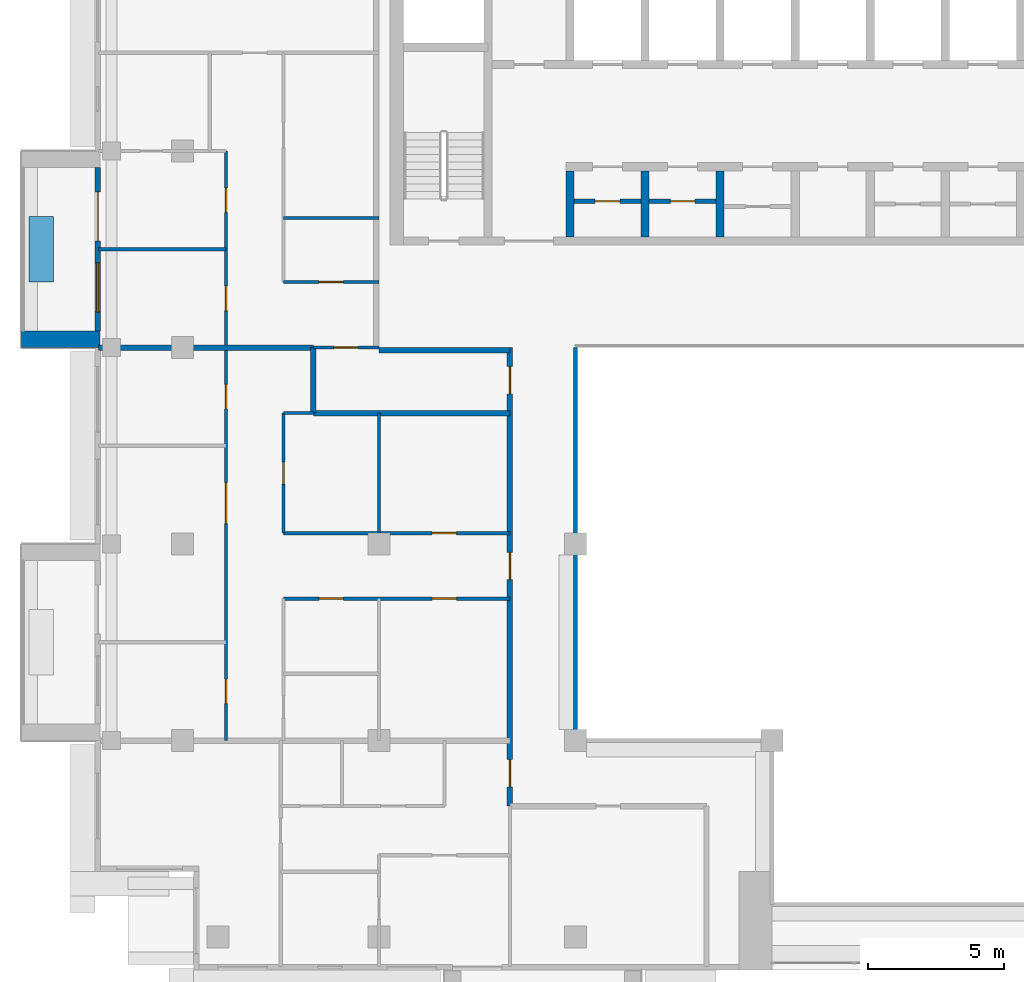
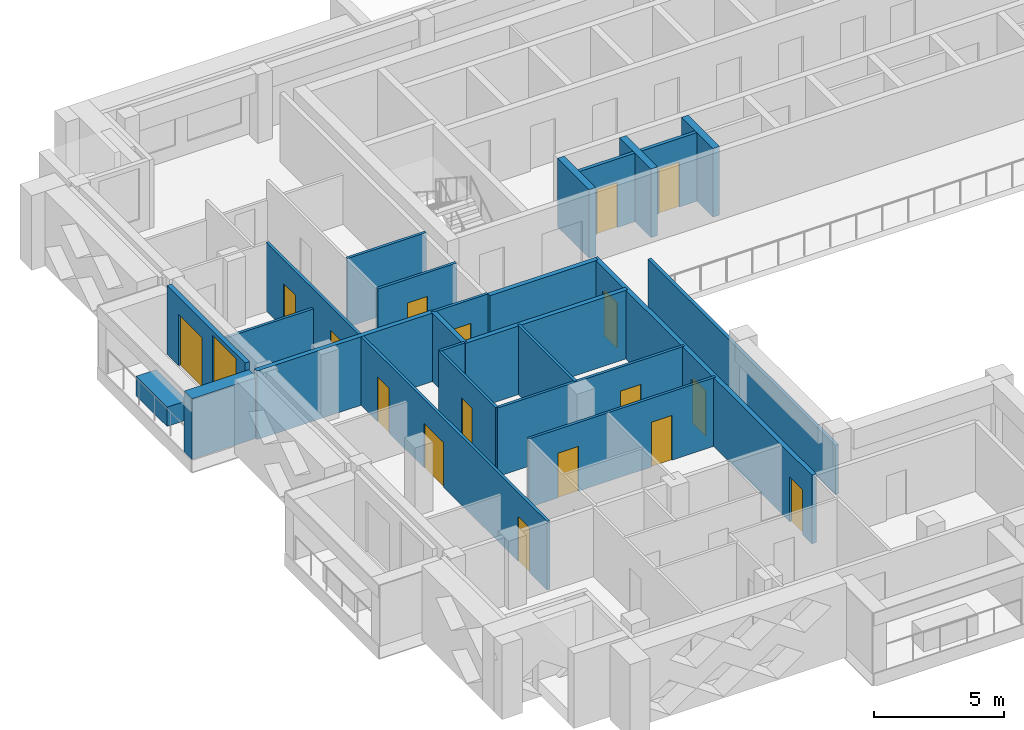
# One storey, part 7 of 19: 24 walls, 17 doors, 1 window, 18 openings.
"""IFC4 building model written with IfcOpenShell, lengths in metres."""

from ifc_helpers import new_model, si_unit, direction, frame, frame_2d, origin, place, context, subcontext, project, spatial, rectangle, extrude, material, layer, layer_set, type_object, element, fill, save


model = new_model("IFC4")

# Units and contexts
model_context = context("Model", 3, precision=1e-05, world=origin(), true_north=direction((0.0, 1.0)))
body_context = subcontext(model_context, "Body", "Model", "MODEL_VIEW")
ifc_project = project(units=[si_unit("LENGTHUNIT", "METRE"), si_unit("AREAUNIT", "SQUARE_METRE"), si_unit("VOLUMEUNIT", "CUBIC_METRE"), si_unit("PLANEANGLEUNIT", "RADIAN"), si_unit("MASSUNIT", "GRAM", prefix="KILO")], contexts=[model_context])

# Site, building, storey
site_placement = place(None, origin())
site = spatial("IfcSite", under=ifc_project, at=site_placement, CompositionType="ELEMENT")
building_placement = place(site_placement, origin())
building = spatial("IfcBuilding", under=site, at=building_placement, Name="Saffron Iwan Residences", CompositionType="ELEMENT")
storey_placement = place(building_placement, frame((0.0, 0.0, 246.5)))
storey = spatial("IfcBuildingStorey", under=building, at=storey_placement, Name="L66", CompositionType="ELEMENT", Elevation=246.5)

# Walls
ifc_material_1 = material(Name="Fire-rated glazing", Category="glass")
ifc_layer_1 = layer(ifc_material_1, 0.14990234375)
ifc_layer_set_1 = layer_set([ifc_layer_1], Name="Fire-rated glazing")
wall_type_1 = type_object("IfcWallType", Name="Atrium glazed screen 150", PredefinedType="SOLIDWALL", material=ifc_layer_set_1)
wall_1_placement = place(storey_placement, frame((36.0, 48.0, 0.0), z_axis=(0.0, 0.0, 1.0), x_axis=(0.0, 1.0, 0.0)))
element("IfcWall", 1, at=wall_1_placement, inside=storey, type_object=wall_type_1, Name="W-L66-SCREEN-v36-48", PredefinedType="SOLIDWALL", context=body_context, shape_type="SweptSolid", body=[
    extrude(rectangle(XDim=14.39990234375, YDim=0.14990234375, at=frame_2d((7.199951171875, 0.0))), origin(), (0.0, 0.0, 1.0), 2.320068359375),
])
ifc_material_2 = material(Name="Concrete C50/60 white painted", Category="concrete")
ifc_layer_2 = layer(ifc_material_2, 0.60009765625)
ifc_layer_set_2 = layer_set([ifc_layer_2], Name="Concrete C50/60 white painted")
wall_type_2 = type_object("IfcWallType", Name="BALCONY FIN 600", PredefinedType="SOLIDWALL", material=ifc_layer_set_2)
wall_2_placement = place(storey_placement, frame((18.574951171875, 62.699951171875, 0.0), z_axis=(0.0, 0.0, 1.0), x_axis=(-1.0, 0.0, 0.0)))
element("IfcWall", 2, at=wall_2_placement, inside=storey, type_object=wall_type_2, Name="Balcony fin L66 F8-0b", PredefinedType="SOLIDWALL", context=body_context, shape_type="SweptSolid", body=[
    extrude(rectangle(XDim=2.875, YDim=0.60009765625, at=frame_2d((1.4375, 0.0))), origin(), (0.0, 0.0, 1.0), 2.85009765625),
])
ifc_material_3 = material(Name="Concrete C35/45 white painted", Category="concrete")
ifc_layer_3 = layer(ifc_material_3, 0.14990234375)
ifc_layer_set_3 = layer_set([ifc_layer_3], Name="Concrete C35/45 white painted")
wall_type_3 = type_object("IfcWallType", Name="BALCONY PLANTER", PredefinedType="SOLIDWALL", material=ifc_layer_set_3)
wall_3_placement = place(storey_placement, frame((16.425048828125, 67.199951171875, 0.0), z_axis=(0.0, 0.0, 1.0), x_axis=(0.0, -1.0, 0.0)))
element("IfcWall", 3, at=wall_3_placement, inside=storey, type_object=wall_type_3, Name="PLANTER L66 F8-0", PredefinedType="SOLIDWALL", context=body_context, shape_type="SweptSolid", body=[
    extrude(rectangle(XDim=2.39990234375, YDim=0.89990234375, at=frame_2d((1.199951171875, 0.0))), origin(), (0.0, 0.0, 1.0), 0.89990234375),
])

# Wall, opening, door
ifc_material_4 = material(Name="Fire-rated plasterboard partition")
ifc_layer_4 = layer(ifc_material_4, 0.14990234375)
ifc_layer_set_4 = layer_set([ifc_layer_4], Name="Fire-rated plasterboard partition")
wall_type_4 = type_object("IfcWallType", Name="Core partition 150", PredefinedType="PARTITIONING", material=ifc_layer_set_4)
wall_4_placement = place(storey_placement, frame((35.949951171875, 67.759521484375, 0.0), z_axis=(0.0, 0.0, 1.0), x_axis=(1.0, 0.0, 0.0)))
wall_4 = element("IfcWall", 4, at=wall_4_placement, inside=storey, type_object=wall_type_4, Name="Core partition P01", PredefinedType="PARTITIONING", context=body_context, shape_type="SweptSolid", body=[
    extrude(rectangle(XDim=2.449951171875, YDim=0.14990234375, at=frame_2d((1.22509765625, 0.0))), origin(), (0.0, 0.0, 1.0), 3.219970703125),
])
opening_1_placement = place(wall_4_placement, frame((0.77490234375, 0.0, 0.0)))
opening_1 = element("IfcOpeningElement", 5, at=opening_1_placement, cuts=wall_4, Name="Opening SB", PredefinedType="OPENING", context=body_context, shape_type="SweptSolid", body=[
    extrude(rectangle(XDim=0.89990234375, YDim=2.10009765625, at=frame_2d((0.449951171875, 1.050048828125))), frame((0.0, 0.0849609375, 0.0), z_axis=(0.0, -1.0, 0.0), x_axis=(1.0, 0.0, 0.0)), (0.0, 0.0, 1.0), 0.169921875),
])
ifc_material_5 = material(Name="Steel fire door", Category="steel")
door_type_1 = type_object("IfcDoorType", Name="Store door 900", OperationType="NOTDEFINED", PredefinedType="DOOR", material=ifc_material_5)
door_1_placement = place(opening_1_placement, origin())
door_1 = element("IfcDoor", 6, at=door_1_placement, inside=storey, type_object=door_type_1, Name="Door Tool store", OperationType="SINGLE_SWING_LEFT", OverallHeight=2.10009765625, OverallWidth=0.89990234375, PredefinedType="DOOR", context=body_context, shape_type="SweptSolid", body=[
    extrude(rectangle(XDim=0.89990234375, YDim=2.10009765625, at=frame_2d((0.449951171875, 1.050048828125))), frame((0.0, 0.02490234375, 0.0), z_axis=(0.0, -1.0, 0.0), x_axis=(1.0, 0.0, 0.0)), (0.0, 0.0, 1.0), 0.050048828125),
])
fill(opening_1, door_1)

wall_5_placement = place(storey_placement, frame((38.699951171875, 67.759521484375, 0.0), z_axis=(0.0, 0.0, 1.0), x_axis=(1.0, 0.0, 0.0)))
wall_5 = element("IfcWall", 7, at=wall_5_placement, inside=storey, type_object=wall_type_4, Name="Core partition P02", PredefinedType="PARTITIONING", context=body_context, shape_type="SweptSolid", body=[
    extrude(rectangle(XDim=2.449951171875, YDim=0.14990234375, at=frame_2d((1.22509765625, 0.0))), origin(), (0.0, 0.0, 1.0), 3.219970703125),
])
opening_2_placement = place(wall_5_placement, frame((0.77490234375, 0.0, 0.0)))
opening_2 = element("IfcOpeningElement", 8, at=opening_2_placement, cuts=wall_5, Name="Opening SB", PredefinedType="OPENING", context=body_context, shape_type="SweptSolid", body=[
    extrude(rectangle(XDim=0.89990234375, YDim=2.10009765625, at=frame_2d((0.449951171875, 1.050048828125))), frame((0.0, 0.0849609375, 0.0), z_axis=(0.0, -1.0, 0.0), x_axis=(1.0, 0.0, 0.0)), (0.0, 0.0, 1.0), 0.169921875),
])
door_2_placement = place(opening_2_placement, origin())
door_2 = element("IfcDoor", 9, at=door_2_placement, inside=storey, type_object=door_type_1, Name="Door Cabling room", OperationType="SINGLE_SWING_RIGHT", OverallHeight=2.10009765625, OverallWidth=0.89990234375, PredefinedType="DOOR", context=body_context, shape_type="SweptSolid", body=[
    extrude(rectangle(XDim=0.89990234375, YDim=2.10009765625, at=frame_2d((0.449951171875, 1.050048828125))), frame((0.0, 0.02490234375, 0.0), z_axis=(0.0, -1.0, 0.0), x_axis=(1.0, 0.0, 0.0)), (0.0, 0.0, 1.0), 0.050048828125),
])
fill(opening_2, door_2)

# Wall, openings, door, window
ifc_material_6 = material(Name="Concrete C40/50", Category="concrete")
ifc_layer_5 = layer(ifc_material_6, 0.199951171875)
ifc_layer_set_5 = layer_set([ifc_layer_5], Name="Concrete C40/50")
wall_type_5 = type_object("IfcWallType", Name="EXTERNAL WALL 200", PredefinedType="SOLIDWALL", material=ifc_layer_set_5)
wall_6_placement = place(storey_placement, frame((18.5, 69.0, 0.0), z_axis=(0.0, 0.0, 1.0), x_axis=(0.0, -1.0, 0.0)))
wall_6 = element("IfcWall", 10, at=wall_6_placement, inside=storey, type_object=wall_type_5, Name="External wall L66 F8.1", PredefinedType="SOLIDWALL", context=body_context, shape_type="SweptSolid", body=[
    extrude(rectangle(XDim=6.0, YDim=0.199951171875, at=frame_2d((3.0, 0.0))), origin(), (0.0, 0.0, 1.0), 3.219970703125),
])
opening_3_placement = place(wall_6_placement, frame((0.89990234375, 0.0, 0.0)))
opening_3 = element("IfcOpeningElement", 11, at=opening_3_placement, cuts=wall_6, Name="Opening BD1", PredefinedType="OPENING", context=body_context, shape_type="SweptSolid", body=[
    extrude(rectangle(XDim=1.800048828125, YDim=2.39990234375, at=frame_2d((0.89990234375, 1.199951171875))), frame((0.0, 0.10986328125, 0.0), z_axis=(0.0, -1.0, 0.0), x_axis=(1.0, 0.0, 0.0)), (0.0, 0.0, 1.0), 0.219970703125),
])
opening_4_placement = place(wall_6_placement, frame((3.5, 0.0, 0.60009765625)))
opening_4 = element("IfcOpeningElement", 12, at=opening_4_placement, cuts=wall_6, Name="Opening W8", PredefinedType="OPENING", context=body_context, shape_type="SweptSolid", body=[
    extrude(rectangle(XDim=1.800048828125, YDim=2.39990234375, at=frame_2d((0.89990234375, 1.199951171875))), frame((0.0, 0.10986328125, 0.0), z_axis=(0.0, -1.0, 0.0), x_axis=(1.0, 0.0, 0.0)), (0.0, 0.0, 1.0), 0.219970703125),
])
ifc_material_7 = material(Name="Clear glass, laminated double glazed", Category="glass")
door_type_2 = type_object("IfcDoorType", Name="BALCONY DOOR 1800 x 2400", OperationType="DOUBLE_DOOR_SLIDING", PredefinedType="DOOR", material=ifc_material_7)
door_3_placement = place(opening_3_placement, origin())
door_3 = element("IfcDoor", 13, at=door_3_placement, inside=storey, type_object=door_type_2, Name="Balcony door L66 F8.0", OperationType="DOUBLE_DOOR_SLIDING", OverallHeight=2.39990234375, OverallWidth=1.800048828125, PredefinedType="DOOR", context=body_context, shape_type="SweptSolid", body=[
    extrude(rectangle(XDim=1.800048828125, YDim=2.39990234375, at=frame_2d((0.89990234375, 1.199951171875))), frame((0.0, 0.02490234375, 0.0), z_axis=(0.0, -1.0, 0.0), x_axis=(1.0, 0.0, 0.0)), (0.0, 0.0, 1.0), 0.050048828125),
])
fill(opening_3, door_3)
window_type = type_object("IfcWindowType", Name="WINDOW 1800 x 2400", PartitioningType="DOUBLE_PANEL_VERTICAL", PredefinedType="WINDOW", material=ifc_material_7)
window_placement = place(opening_4_placement, origin())
window = element("IfcWindow", 14, at=window_placement, inside=storey, type_object=window_type, Name="Window L66 F8.1", OverallHeight=2.39990234375, OverallWidth=1.800048828125, PartitioningType="DOUBLE_PANEL_VERTICAL", PredefinedType="WINDOW", context=body_context, shape_type="SweptSolid", body=[
    extrude(rectangle(XDim=1.800048828125, YDim=2.39990234375, at=frame_2d((0.89990234375, 1.199951171875))), frame((0.0, 0.030029296875, 0.0), z_axis=(0.0, -1.0, 0.0), x_axis=(1.0, 0.0, 0.0)), (0.0, 0.0, 1.0), 0.06005859375),
])
fill(opening_4, window)

# Walls
ifc_material_8 = material(Name="Fire-rated gypsum board wall")
ifc_layer_6 = layer(ifc_material_8, 0.199951171875)
ifc_layer_set_6 = layer_set([ifc_layer_6], Name="Fire-rated gypsum board wall")
wall_type_6 = type_object("IfcWallType", Name="Flat demising wall 200", PredefinedType="SOLIDWALL", material=ifc_layer_set_6)
wall_7_placement = place(storey_placement, frame((26.39990234375, 60.0, 0.0), z_axis=(0.0, 0.0, 1.0), x_axis=(1.0, 0.0, 0.0)))
element("IfcWall", 15, at=wall_7_placement, inside=storey, type_object=wall_type_6, Name="W-L66-DEMISE-h60-26.4", PredefinedType="SOLIDWALL", context=body_context, shape_type="SweptSolid", body=[
    extrude(rectangle(XDim=7.2001953125, YDim=0.199951171875, at=frame_2d((3.60009765625, 0.0))), origin(), (0.0, 0.0, 1.0), 3.219970703125),
])
wall_8_placement = place(storey_placement, frame((18.52490234375, 62.39990234375, 0.0), z_axis=(0.0, 0.0, 1.0), x_axis=(1.0, 0.0, 0.0)))
element("IfcWall", 16, at=wall_8_placement, inside=storey, type_object=wall_type_6, Name="W-L66-DEMISE-h62.4-18.525", PredefinedType="SOLIDWALL", context=body_context, shape_type="SweptSolid", body=[
    extrude(rectangle(XDim=7.875, YDim=0.199951171875, at=frame_2d((3.9375, 0.0))), origin(), (0.0, 0.0, 1.0), 3.219970703125),
])
wall_9_placement = place(storey_placement, frame((26.39990234375, 60.0, 0.0), z_axis=(0.0, 0.0, 1.0), x_axis=(0.0, 1.0, 0.0)))
element("IfcWall", 17, at=wall_9_placement, inside=storey, type_object=wall_type_6, Name="W-L66-DEMISE-v26.4-60", PredefinedType="SOLIDWALL", context=body_context, shape_type="SweptSolid", body=[
    extrude(rectangle(XDim=2.39990234375, YDim=0.199951171875, at=frame_2d((1.199951171875, 0.0))), origin(), (0.0, 0.0, 1.0), 3.219970703125),
])

# Wall, openings, doors
ifc_material_9 = material(Name="Gypsum board partition")
ifc_layer_7 = layer(ifc_material_9, 0.1201171875)
ifc_layer_set_7 = layer_set([ifc_layer_7], Name="Gypsum board partition")
wall_type_7 = type_object("IfcWallType", Name="Flat partition 120", PredefinedType="PARTITIONING", material=ifc_layer_set_7)
wall_10_placement = place(storey_placement, frame((25.300048828125, 53.199951171875, 0.0), z_axis=(0.0, 0.0, 1.0), x_axis=(1.0, 0.0, 0.0)))
wall_10 = element("IfcWall", 18, at=wall_10_placement, inside=storey, type_object=wall_type_7, Name="W-L66-PART-h53.2-25.3", PredefinedType="PARTITIONING", context=body_context, shape_type="SweptSolid", body=[
    extrude(rectangle(XDim=8.300048828125, YDim=0.1201171875, at=frame_2d((4.14990234375, 0.0))), origin(), (0.0, 0.0, 1.0), 3.219970703125),
])
opening_5_placement = place(wall_10_placement, frame((1.300048828125, 0.0, 0.0)))
opening_5 = element("IfcOpeningElement", 19, at=opening_5_placement, cuts=wall_10, Name="Opening FD2", PredefinedType="OPENING", context=body_context, shape_type="SweptSolid", body=[
    extrude(rectangle(XDim=0.89990234375, YDim=2.10009765625, at=frame_2d((0.449951171875, 1.050048828125))), frame((0.0, 0.070068359375, 0.0), z_axis=(0.0, -1.0, 0.0), x_axis=(1.0, 0.0, 0.0)), (0.0, 0.0, 1.0), 0.14013671875),
])
opening_6_placement = place(wall_10_placement, frame((5.449951171875, 0.0, 0.0)))
opening_6 = element("IfcOpeningElement", 20, at=opening_6_placement, cuts=wall_10, Name="Opening FD2", PredefinedType="OPENING", context=body_context, shape_type="SweptSolid", body=[
    extrude(rectangle(XDim=0.89990234375, YDim=2.10009765625, at=frame_2d((0.449951171875, 1.050048828125))), frame((0.0, 0.070068359375, 0.0), z_axis=(0.0, -1.0, 0.0), x_axis=(1.0, 0.0, 0.0)), (0.0, 0.0, 1.0), 0.14013671875),
])
ifc_material_10 = material(Name="Timber door", Category="wood")
door_type_3 = type_object("IfcDoorType", Name="Flat door 900", OperationType="NOTDEFINED", PredefinedType="DOOR", material=ifc_material_10)
door_4_placement = place(opening_5_placement, origin())
door_4 = element("IfcDoor", 21, at=door_4_placement, inside=storey, type_object=door_type_3, Name="Door L66-013", OperationType="SINGLE_SWING_RIGHT", OverallHeight=2.10009765625, OverallWidth=0.89990234375, PredefinedType="DOOR", context=body_context, shape_type="SweptSolid", body=[
    extrude(rectangle(XDim=0.89990234375, YDim=2.10009765625, at=frame_2d((0.449951171875, 1.050048828125))), frame((0.0, 0.02490234375, 0.0), z_axis=(0.0, -1.0, 0.0), x_axis=(1.0, 0.0, 0.0)), (0.0, 0.0, 1.0), 0.050048828125),
])
fill(opening_5, door_4)
door_5_placement = place(opening_6_placement, origin())
door_5 = element("IfcDoor", 22, at=door_5_placement, inside=storey, type_object=door_type_3, Name="Door L66-015", OperationType="SINGLE_SWING_LEFT", OverallHeight=2.10009765625, OverallWidth=0.89990234375, PredefinedType="DOOR", context=body_context, shape_type="SweptSolid", body=[
    extrude(rectangle(XDim=0.89990234375, YDim=2.10009765625, at=frame_2d((0.449951171875, 1.050048828125))), frame((0.0, 0.02490234375, 0.0), z_axis=(0.0, -1.0, 0.0), x_axis=(1.0, 0.0, 0.0)), (0.0, 0.0, 1.0), 0.050048828125),
])
fill(opening_6, door_5)

# Wall, opening, door
wall_11_placement = place(storey_placement, frame((25.300048828125, 55.60009765625, 0.0), z_axis=(0.0, 0.0, 1.0), x_axis=(1.0, 0.0, 0.0)))
wall_11 = element("IfcWall", 23, at=wall_11_placement, inside=storey, type_object=wall_type_7, Name="W-L66-PART-h55.6-25.3", PredefinedType="PARTITIONING", context=body_context, shape_type="SweptSolid", body=[
    extrude(rectangle(XDim=8.300048828125, YDim=0.1201171875, at=frame_2d((4.14990234375, 0.0))), origin(), (0.0, 0.0, 1.0), 3.219970703125),
])
opening_7_placement = place(wall_11_placement, frame((5.449951171875, 0.0, 0.0)))
opening_7 = element("IfcOpeningElement", 24, at=opening_7_placement, cuts=wall_11, Name="Opening FD2", PredefinedType="OPENING", context=body_context, shape_type="SweptSolid", body=[
    extrude(rectangle(XDim=0.89990234375, YDim=2.10009765625, at=frame_2d((0.449951171875, 1.050048828125))), frame((0.0, 0.070068359375, 0.0), z_axis=(0.0, -1.0, 0.0), x_axis=(1.0, 0.0, 0.0)), (0.0, 0.0, 1.0), 0.14013671875),
])
door_6_placement = place(opening_7_placement, origin())
door_6 = element("IfcDoor", 25, at=door_6_placement, inside=storey, type_object=door_type_3, Name="Door L66-016", OperationType="SINGLE_SWING_RIGHT", OverallHeight=2.10009765625, OverallWidth=0.89990234375, PredefinedType="DOOR", context=body_context, shape_type="SweptSolid", body=[
    extrude(rectangle(XDim=0.89990234375, YDim=2.10009765625, at=frame_2d((0.449951171875, 1.050048828125))), frame((0.0, 0.02490234375, 0.0), z_axis=(0.0, -1.0, 0.0), x_axis=(1.0, 0.0, 0.0)), (0.0, 0.0, 1.0), 0.050048828125),
])
fill(opening_7, door_6)

# Wall
wall_12_placement = place(storey_placement, frame((25.300048828125, 60.0, 0.0), z_axis=(0.0, 0.0, 1.0), x_axis=(1.0, 0.0, 0.0)))
element("IfcWall", 26, at=wall_12_placement, inside=storey, type_object=wall_type_7, Name="W-L66-PART-h60-25.3", PredefinedType="PARTITIONING", context=body_context, shape_type="SweptSolid", body=[
    extrude(rectangle(XDim=1.099853515625, YDim=0.1201171875, at=frame_2d((0.5498046875, 0.0))), origin(), (0.0, 0.0, 1.0), 3.219970703125),
])

# Wall, opening, door
wall_13_placement = place(storey_placement, frame((26.39990234375, 62.39990234375, 0.0), z_axis=(0.0, 0.0, 1.0), x_axis=(1.0, 0.0, 0.0)))
wall_13 = element("IfcWall", 27, at=wall_13_placement, inside=storey, type_object=wall_type_7, Name="W-L66-PART-h62.4-26.4", PredefinedType="PARTITIONING", context=body_context, shape_type="SweptSolid", body=[
    extrude(rectangle(XDim=2.400146484375, YDim=0.1201171875, at=frame_2d((1.2001953125, 0.0))), origin(), (0.0, 0.0, 1.0), 3.219970703125),
])
opening_8_placement = place(wall_13_placement, frame((0.75, 0.0, 0.0)))
opening_8 = element("IfcOpeningElement", 28, at=opening_8_placement, cuts=wall_13, Name="Opening FD2", PredefinedType="OPENING", context=body_context, shape_type="SweptSolid", body=[
    extrude(rectangle(XDim=0.89990234375, YDim=2.10009765625, at=frame_2d((0.449951171875, 1.050048828125))), frame((0.0, 0.070068359375, 0.0), z_axis=(0.0, -1.0, 0.0), x_axis=(1.0, 0.0, 0.0)), (0.0, 0.0, 1.0), 0.14013671875),
])
door_7_placement = place(opening_8_placement, origin())
door_7 = element("IfcDoor", 29, at=door_7_placement, inside=storey, type_object=door_type_3, Name="Door L66-023", OperationType="SINGLE_SWING_LEFT", OverallHeight=2.10009765625, OverallWidth=0.89990234375, PredefinedType="DOOR", context=body_context, shape_type="SweptSolid", body=[
    extrude(rectangle(XDim=0.89990234375, YDim=2.10009765625, at=frame_2d((0.449951171875, 1.050048828125))), frame((0.0, 0.02490234375, 0.0), z_axis=(0.0, -1.0, 0.0), x_axis=(1.0, 0.0, 0.0)), (0.0, 0.0, 1.0), 0.050048828125),
])
fill(opening_8, door_7)

wall_14_placement = place(storey_placement, frame((25.300048828125, 64.800048828125, 0.0), z_axis=(0.0, 0.0, 1.0), x_axis=(1.0, 0.0, 0.0)))
wall_14 = element("IfcWall", 30, at=wall_14_placement, inside=storey, type_object=wall_type_7, Name="W-L66-PART-h64.8-25.3", PredefinedType="PARTITIONING", context=body_context, shape_type="SweptSolid", body=[
    extrude(rectangle(XDim=3.5, YDim=0.1201171875, at=frame_2d((1.75, 0.0))), origin(), (0.0, 0.0, 1.0), 3.219970703125),
])
opening_9_placement = place(wall_14_placement, frame((1.300048828125, 0.0, 0.0)))
opening_9 = element("IfcOpeningElement", 31, at=opening_9_placement, cuts=wall_14, Name="Opening FD2", PredefinedType="OPENING", context=body_context, shape_type="SweptSolid", body=[
    extrude(rectangle(XDim=0.89990234375, YDim=2.10009765625, at=frame_2d((0.449951171875, 1.050048828125))), frame((0.0, 0.070068359375, 0.0), z_axis=(0.0, -1.0, 0.0), x_axis=(1.0, 0.0, 0.0)), (0.0, 0.0, 1.0), 0.14013671875),
])
door_8_placement = place(opening_9_placement, origin())
door_8 = element("IfcDoor", 32, at=door_8_placement, inside=storey, type_object=door_type_3, Name="Door L66-029", OperationType="SINGLE_SWING_LEFT", OverallHeight=2.10009765625, OverallWidth=0.89990234375, PredefinedType="DOOR", context=body_context, shape_type="SweptSolid", body=[
    extrude(rectangle(XDim=0.89990234375, YDim=2.10009765625, at=frame_2d((0.449951171875, 1.050048828125))), frame((0.0, 0.02490234375, 0.0), z_axis=(0.0, -1.0, 0.0), x_axis=(1.0, 0.0, 0.0)), (0.0, 0.0, 1.0), 0.050048828125),
])
fill(opening_9, door_8)

# Walls
wall_15_placement = place(storey_placement, frame((18.52490234375, 66.0, 0.0), z_axis=(0.0, 0.0, 1.0), x_axis=(1.0, 0.0, 0.0)))
element("IfcWall", 33, at=wall_15_placement, inside=storey, type_object=wall_type_7, Name="W-L66-PART-h66-18.525", PredefinedType="PARTITIONING", context=body_context, shape_type="SweptSolid", body=[
    extrude(rectangle(XDim=4.675048828125, YDim=0.1201171875, at=frame_2d((2.33740234375, 0.0))), origin(), (0.0, 0.0, 1.0), 2.320068359375),
])
wall_16_placement = place(storey_placement, frame((25.300048828125, 67.14990234375, 0.0), z_axis=(0.0, 0.0, 1.0), x_axis=(1.0, 0.0, 0.0)))
element("IfcWall", 34, at=wall_16_placement, inside=storey, type_object=wall_type_7, Name="W-L66-PART-h67.15-25.3", PredefinedType="PARTITIONING", context=body_context, shape_type="SweptSolid", body=[
    extrude(rectangle(XDim=3.5, YDim=0.1201171875, at=frame_2d((1.75, 0.0))), origin(), (0.0, 0.0, 1.0), 3.219970703125),
])

# Wall, openings, doors
wall_17_placement = place(storey_placement, frame((23.199951171875, 48.0, 0.0), z_axis=(0.0, 0.0, 1.0), x_axis=(0.0, 1.0, 0.0)))
wall_17 = element("IfcWall", 35, at=wall_17_placement, inside=storey, type_object=wall_type_7, Name="W-L66-PART-v23.2-48", PredefinedType="PARTITIONING", context=body_context, shape_type="SweptSolid", body=[
    extrude(rectangle(XDim=21.60009765625, YDim=0.1201171875, at=frame_2d((10.800048828125, 0.0))), origin(), (0.0, 0.0, 1.0), 3.219970703125),
])
opening_10_placement = place(wall_17_placement, frame((1.35009765625, 0.0, 0.0)))
opening_10 = element("IfcOpeningElement", 36, at=opening_10_placement, cuts=wall_17, Name="Opening FD2", PredefinedType="OPENING", context=body_context, shape_type="SweptSolid", body=[
    extrude(rectangle(XDim=0.89990234375, YDim=2.10009765625, at=frame_2d((0.449951171875, 1.050048828125))), frame((0.0, 0.070068359375, 0.0), z_axis=(0.0, -1.0, 0.0), x_axis=(1.0, 0.0, 0.0)), (0.0, 0.0, 1.0), 0.14013671875),
])
opening_11_placement = place(wall_17_placement, frame((7.949951171875, 0.0, 0.0)))
opening_11 = element("IfcOpeningElement", 37, at=opening_11_placement, cuts=wall_17, Name="Opening FD4", PredefinedType="OPENING", context=body_context, shape_type="SweptSolid", body=[
    extrude(rectangle(XDim=1.5, YDim=2.10009765625, at=frame_2d((0.75, 1.050048828125))), frame((0.0, 0.070068359375, 0.0), z_axis=(0.0, -1.0, 0.0), x_axis=(1.0, 0.0, 0.0)), (0.0, 0.0, 1.0), 0.14013671875),
])
opening_12_placement = place(wall_17_placement, frame((12.14990234375, 0.0, 0.0)))
opening_12 = element("IfcOpeningElement", 38, at=opening_12_placement, cuts=wall_17, Name="Opening FD2", PredefinedType="OPENING", context=body_context, shape_type="SweptSolid", body=[
    extrude(rectangle(XDim=0.89990234375, YDim=2.10009765625, at=frame_2d((0.449951171875, 1.050048828125))), frame((0.0, 0.070068359375, 0.0), z_axis=(0.0, -1.0, 0.0), x_axis=(1.0, 0.0, 0.0)), (0.0, 0.0, 1.0), 0.14013671875),
])
opening_13_placement = place(wall_17_placement, frame((15.75, 0.0, 0.0)))
opening_13 = element("IfcOpeningElement", 39, at=opening_13_placement, cuts=wall_17, Name="Opening FD2", PredefinedType="OPENING", context=body_context, shape_type="SweptSolid", body=[
    extrude(rectangle(XDim=0.89990234375, YDim=2.10009765625, at=frame_2d((0.449951171875, 1.050048828125))), frame((0.0, 0.070068359375, 0.0), z_axis=(0.0, -1.0, 0.0), x_axis=(1.0, 0.0, 0.0)), (0.0, 0.0, 1.0), 0.14013671875),
])
opening_14_placement = place(wall_17_placement, frame((19.35009765625, 0.0, 0.0)))
opening_14 = element("IfcOpeningElement", 40, at=opening_14_placement, cuts=wall_17, Name="Opening FD2", PredefinedType="OPENING", context=body_context, shape_type="SweptSolid", body=[
    extrude(rectangle(XDim=0.89990234375, YDim=2.10009765625, at=frame_2d((0.449951171875, 1.050048828125))), frame((0.0, 0.070068359375, 0.0), z_axis=(0.0, -1.0, 0.0), x_axis=(1.0, 0.0, 0.0)), (0.0, 0.0, 1.0), 0.14013671875),
])
door_type_4 = type_object("IfcDoorType", Name="Double door 1500", OperationType="NOTDEFINED", PredefinedType="DOOR", material=ifc_material_10)
door_9_placement = place(opening_11_placement, origin())
door_9 = element("IfcDoor", 41, at=door_9_placement, inside=storey, type_object=door_type_4, Name="Door L66-010", OperationType="SINGLE_SWING_LEFT", OverallHeight=2.10009765625, OverallWidth=1.5, PredefinedType="DOOR", context=body_context, shape_type="SweptSolid", body=[
    extrude(rectangle(XDim=1.5, YDim=2.10009765625, at=frame_2d((0.75, 1.050048828125))), frame((0.0, 0.02490234375, 0.0), z_axis=(0.0, -1.0, 0.0), x_axis=(1.0, 0.0, 0.0)), (0.0, 0.0, 1.0), 0.050048828125),
])
fill(opening_11, door_9)
door_10_placement = place(opening_10_placement, origin())
door_10 = element("IfcDoor", 42, at=door_10_placement, inside=storey, type_object=door_type_3, Name="Door L66-009", OperationType="SINGLE_SWING_LEFT", OverallHeight=2.10009765625, OverallWidth=0.89990234375, PredefinedType="DOOR", context=body_context, shape_type="SweptSolid", body=[
    extrude(rectangle(XDim=0.89990234375, YDim=2.10009765625, at=frame_2d((0.449951171875, 1.050048828125))), frame((0.0, 0.02490234375, 0.0), z_axis=(0.0, -1.0, 0.0), x_axis=(1.0, 0.0, 0.0)), (0.0, 0.0, 1.0), 0.050048828125),
])
fill(opening_10, door_10)
door_11_placement = place(opening_12_placement, origin())
door_11 = element("IfcDoor", 43, at=door_11_placement, inside=storey, type_object=door_type_3, Name="Door L66-011", OperationType="SINGLE_SWING_LEFT", OverallHeight=2.10009765625, OverallWidth=0.89990234375, PredefinedType="DOOR", context=body_context, shape_type="SweptSolid", body=[
    extrude(rectangle(XDim=0.89990234375, YDim=2.10009765625, at=frame_2d((0.449951171875, 1.050048828125))), frame((0.0, 0.02490234375, 0.0), z_axis=(0.0, -1.0, 0.0), x_axis=(1.0, 0.0, 0.0)), (0.0, 0.0, 1.0), 0.050048828125),
])
fill(opening_12, door_11)
door_12_placement = place(opening_13_placement, origin())
door_12 = element("IfcDoor", 44, at=door_12_placement, inside=storey, type_object=door_type_3, Name="Door L66-025", OperationType="SINGLE_SWING_RIGHT", OverallHeight=2.10009765625, OverallWidth=0.89990234375, PredefinedType="DOOR", context=body_context, shape_type="SweptSolid", body=[
    extrude(rectangle(XDim=0.89990234375, YDim=2.10009765625, at=frame_2d((0.449951171875, 1.050048828125))), frame((0.0, 0.02490234375, 0.0), z_axis=(0.0, -1.0, 0.0), x_axis=(1.0, 0.0, 0.0)), (0.0, 0.0, 1.0), 0.050048828125),
])
fill(opening_13, door_12)
door_13_placement = place(opening_14_placement, origin())
door_13 = element("IfcDoor", 45, at=door_13_placement, inside=storey, type_object=door_type_3, Name="Door L66-026", OperationType="SINGLE_SWING_LEFT", OverallHeight=2.10009765625, OverallWidth=0.89990234375, PredefinedType="DOOR", context=body_context, shape_type="SweptSolid", body=[
    extrude(rectangle(XDim=0.89990234375, YDim=2.10009765625, at=frame_2d((0.449951171875, 1.050048828125))), frame((0.0, 0.02490234375, 0.0), z_axis=(0.0, -1.0, 0.0), x_axis=(1.0, 0.0, 0.0)), (0.0, 0.0, 1.0), 0.050048828125),
])
fill(opening_14, door_13)

# Wall, opening, door
wall_18_placement = place(storey_placement, frame((25.300048828125, 55.60009765625, 0.0), z_axis=(0.0, 0.0, 1.0), x_axis=(0.0, 1.0, 0.0)))
wall_18 = element("IfcWall", 46, at=wall_18_placement, inside=storey, type_object=wall_type_7, Name="W-L66-PART-v25.3-55.6", PredefinedType="PARTITIONING", context=body_context, shape_type="SweptSolid", body=[
    extrude(rectangle(XDim=4.39990234375, YDim=0.1201171875, at=frame_2d((2.199951171875, 0.0))), origin(), (0.0, 0.0, 1.0), 3.219970703125),
])
opening_15_placement = place(wall_18_placement, frame((1.800048828125, 0.0, 0.0)))
opening_15 = element("IfcOpeningElement", 47, at=opening_15_placement, cuts=wall_18, Name="Opening FD3", PredefinedType="OPENING", context=body_context, shape_type="SweptSolid", body=[
    extrude(rectangle(XDim=0.800048828125, YDim=2.10009765625, at=frame_2d((0.39990234375, 1.050048828125))), frame((0.0, 0.070068359375, 0.0), z_axis=(0.0, -1.0, 0.0), x_axis=(1.0, 0.0, 0.0)), (0.0, 0.0, 1.0), 0.14013671875),
])
door_type_5 = type_object("IfcDoorType", Name="Bathroom door 800", OperationType="NOTDEFINED", PredefinedType="DOOR", material=ifc_material_10)
door_14_placement = place(opening_15_placement, origin())
door_14 = element("IfcDoor", 48, at=door_14_placement, inside=storey, type_object=door_type_5, Name="Door L66-014", OperationType="SINGLE_SWING_LEFT", OverallHeight=2.10009765625, OverallWidth=0.800048828125, PredefinedType="DOOR", context=body_context, shape_type="SweptSolid", body=[
    extrude(rectangle(XDim=0.800048828125, YDim=2.10009765625, at=frame_2d((0.39990234375, 1.050048828125))), frame((0.0, 0.02490234375, 0.0), z_axis=(0.0, -1.0, 0.0), x_axis=(1.0, 0.0, 0.0)), (0.0, 0.0, 1.0), 0.050048828125),
])
fill(opening_15, door_14)

# Walls
wall_19_placement = place(storey_placement, frame((28.800048828125, 55.60009765625, 0.0), z_axis=(0.0, 0.0, 1.0), x_axis=(0.0, 1.0, 0.0)))
element("IfcWall", 49, at=wall_19_placement, inside=storey, type_object=wall_type_7, Name="W-L66-PART-v28.8-55.6", PredefinedType="PARTITIONING", context=body_context, shape_type="SweptSolid", body=[
    extrude(rectangle(XDim=4.39990234375, YDim=0.1201171875, at=frame_2d((2.199951171875, 0.0))), origin(), (0.0, 0.0, 1.0), 3.219970703125),
])
ifc_layer_8 = layer(ifc_material_8, 0.199951171875)
ifc_layer_set_8 = layer_set([ifc_layer_8], Name="Fire-rated gypsum board wall")
wall_type_8 = type_object("IfcWallType", Name="Gallery wall 200", PredefinedType="SOLIDWALL", material=ifc_layer_set_8)
wall_20_placement = place(storey_placement, frame((28.800048828125, 62.300048828125, 0.0), z_axis=(0.0, 0.0, 1.0), x_axis=(1.0, 0.0, 0.0)))
element("IfcWall", 50, at=wall_20_placement, inside=storey, type_object=wall_type_8, Name="W-L66-CORR-h62.4-28.8", PredefinedType="SOLIDWALL", context=body_context, shape_type="SweptSolid", body=[
    extrude(rectangle(XDim=4.800048828125, YDim=0.199951171875, at=frame_2d((2.39990234375, 0.0))), origin(), (0.0, 0.0, 1.0), 3.219970703125),
])

# Wall, openings, doors
wall_21_placement = place(storey_placement, frame((33.60009765625, 45.60009765625, 0.0), z_axis=(0.0, 0.0, 1.0), x_axis=(0.0, 1.0, 0.0)))
wall_21 = element("IfcWall", 51, at=wall_21_placement, inside=storey, type_object=wall_type_8, Name="W-L66-CORR-v33.6-45.6", PredefinedType="SOLIDWALL", context=body_context, shape_type="SweptSolid", body=[
    extrude(rectangle(XDim=16.7998046875, YDim=0.199951171875, at=frame_2d((8.39990234375, 0.0))), origin(), (0.0, 0.0, 1.0), 3.219970703125),
])
opening_16_placement = place(wall_21_placement, frame((0.699951171875, 0.0, 0.0)))
opening_16 = element("IfcOpeningElement", 52, at=opening_16_placement, cuts=wall_21, Name="Opening FD1", PredefinedType="OPENING", context=body_context, shape_type="SweptSolid", body=[
    extrude(rectangle(XDim=1.0, YDim=2.10009765625, at=frame_2d((0.5, 1.050048828125))), frame((0.0, 0.10986328125, 0.0), z_axis=(0.0, -1.0, 0.0), x_axis=(1.0, 0.0, 0.0)), (0.0, 0.0, 1.0), 0.219970703125),
])
opening_17_placement = place(wall_21_placement, frame((8.300048828125, 0.0, 0.0)))
opening_17 = element("IfcOpeningElement", 53, at=opening_17_placement, cuts=wall_21, Name="Opening FD1", PredefinedType="OPENING", context=body_context, shape_type="SweptSolid", body=[
    extrude(rectangle(XDim=1.0, YDim=2.10009765625, at=frame_2d((0.5, 1.050048828125))), frame((0.0, 0.10986328125, 0.0), z_axis=(0.0, -1.0, 0.0), x_axis=(1.0, 0.0, 0.0)), (0.0, 0.0, 1.0), 0.219970703125),
])
opening_18_placement = place(wall_21_placement, frame((15.10009765625, 0.0, 0.0)))
opening_18 = element("IfcOpeningElement", 54, at=opening_18_placement, cuts=wall_21, Name="Opening FD5", PredefinedType="OPENING", context=body_context, shape_type="SweptSolid", body=[
    extrude(rectangle(XDim=1.0, YDim=2.10009765625, at=frame_2d((0.5, 1.050048828125))), frame((0.0, 0.10986328125, 0.0), z_axis=(0.0, -1.0, 0.0), x_axis=(1.0, 0.0, 0.0)), (0.0, 0.0, 1.0), 0.219970703125),
])
ifc_material_11 = material(Name="Fire-rated timber door", Category="wood")
door_type_6 = type_object("IfcDoorType", Name="FD30S flat entrance door 1000", OperationType="NOTDEFINED", PredefinedType="DOOR", material=ifc_material_11)
door_15_placement = place(opening_16_placement, origin())
door_15 = element("IfcDoor", 55, at=door_15_placement, inside=storey, type_object=door_type_6, Name="Door L66-001", OperationType="SINGLE_SWING_RIGHT", OverallHeight=2.10009765625, OverallWidth=1.0, PredefinedType="DOOR", context=body_context, shape_type="SweptSolid", body=[
    extrude(rectangle(XDim=1.0, YDim=2.10009765625, at=frame_2d((0.5, 1.050048828125))), frame((0.0, 0.02490234375, 0.0), z_axis=(0.0, -1.0, 0.0), x_axis=(1.0, 0.0, 0.0)), (0.0, 0.0, 1.0), 0.050048828125),
])
fill(opening_16, door_15)
door_16_placement = place(opening_17_placement, origin())
door_16 = element("IfcDoor", 56, at=door_16_placement, inside=storey, type_object=door_type_6, Name="Door L66-008", OperationType="SINGLE_SWING_LEFT", OverallHeight=2.10009765625, OverallWidth=1.0, PredefinedType="DOOR", context=body_context, shape_type="SweptSolid", body=[
    extrude(rectangle(XDim=1.0, YDim=2.10009765625, at=frame_2d((0.5, 1.050048828125))), frame((0.0, 0.02490234375, 0.0), z_axis=(0.0, -1.0, 0.0), x_axis=(1.0, 0.0, 0.0)), (0.0, 0.0, 1.0), 0.050048828125),
])
fill(opening_17, door_16)
door_type_7 = type_object("IfcDoorType", Name="Lobby door 1000", OperationType="NOTDEFINED", PredefinedType="DOOR", material=ifc_material_11)
door_17_placement = place(opening_18_placement, origin())
door_17 = element("IfcDoor", 57, at=door_17_placement, inside=storey, type_object=door_type_7, Name="Door L66-024", OperationType="SINGLE_SWING_LEFT", OverallHeight=2.10009765625, OverallWidth=1.0, PredefinedType="DOOR", context=body_context, shape_type="SweptSolid", body=[
    extrude(rectangle(XDim=1.0, YDim=2.10009765625, at=frame_2d((0.5, 1.050048828125))), frame((0.0, 0.02490234375, 0.0), z_axis=(0.0, -1.0, 0.0), x_axis=(1.0, 0.0, 0.0)), (0.0, 0.0, 1.0), 0.050048828125),
])
fill(opening_18, door_17)

# Walls
ifc_layer_9 = layer(ifc_material_6, 0.300048828125)
ifc_layer_set_9 = layer_set([ifc_layer_9], Name="Concrete C40/50")
wall_type_9 = type_object("IfcWallType", Name="WALL CORE 300 C40/50 3220 HIGH", PredefinedType="SHEAR", material=ifc_layer_set_9)
for number, where, z_axis, x_axis, name in (
    (58, (35.800048828125, 66.449951171875, 0.0), (0.0, 0.0, 1.0), (0.0, 1.0, 0.0), "Core wall"),
    (59, (38.550048828125, 66.449951171875, 0.0), (0.0, 0.0, 1.0), (0.0, 1.0, 0.0), "Core wall"),
    (60, (41.300048828125, 66.449951171875, 0.0), (0.0, 0.0, 1.0), (0.0, 1.0, 0.0), "Core wall"),
):
    element("IfcWall", number, at=place(storey_placement, frame(where, z_axis=z_axis, x_axis=x_axis)), inside=storey, type_object=wall_type_9, Name=name, PredefinedType="SHEAR", context=body_context, shape_type="SweptSolid", body=[
        extrude(rectangle(XDim=2.425048828125, YDim=0.300048828125, at=frame_2d((1.21240234375, 0.0))), origin(), (0.0, 0.0, 1.0), 3.219970703125),
    ])

save(model, "model.ifc")
